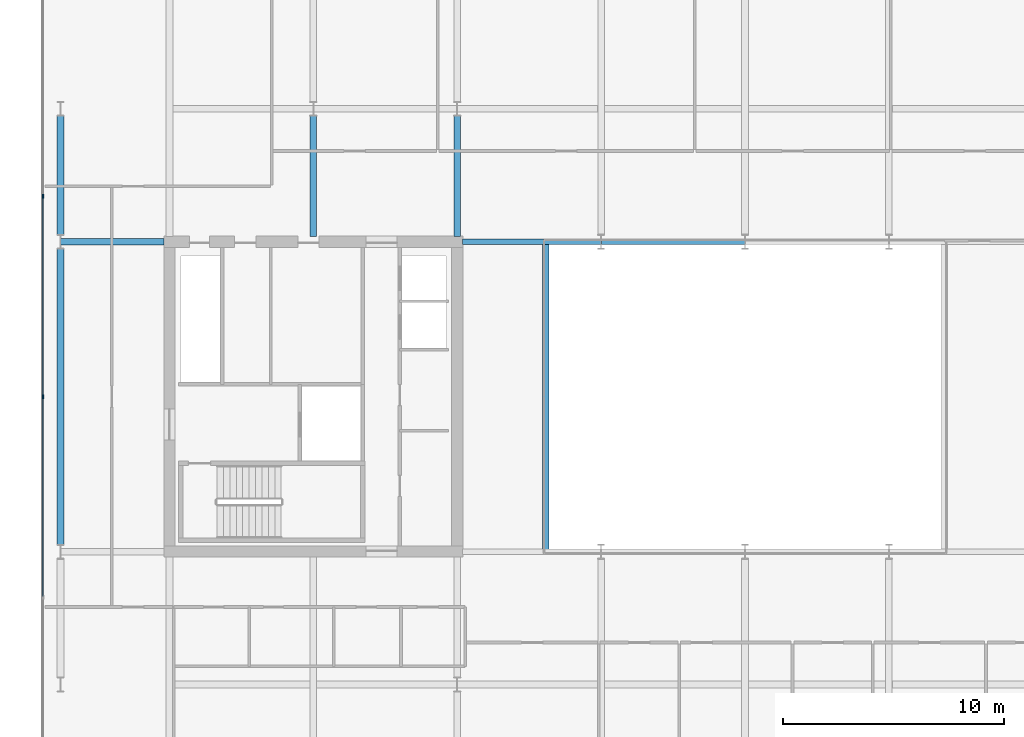
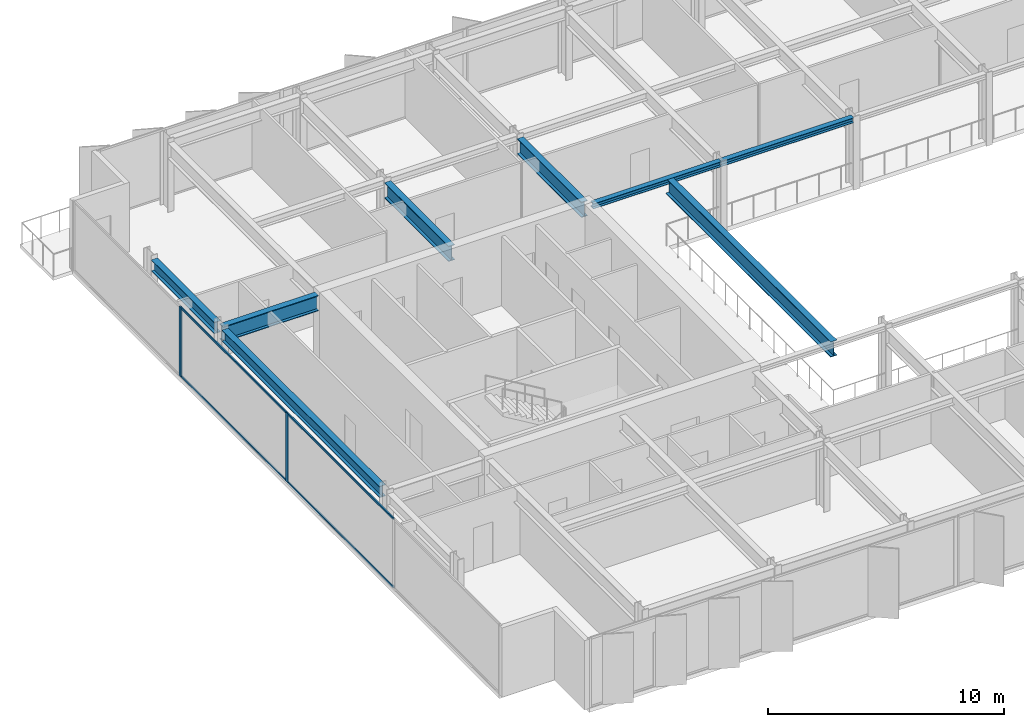
# One storey, part 5 of 20: 8 beams, 6 members, 1 element without a shape of its own.
"""IFC4 building model written with IfcOpenShell, lengths in metres."""

from ifc_helpers import new_model, si_unit, direction, frame, origin, origin_2d, place, context, subcontext, project, spatial, rectangle, i_section, extrude, material, layer, layer_set, material_profile, profile_set, type_object, element, aggregate, save


model = new_model("IFC4")

# Units and contexts
model_context = context("Model", 3, precision=1e-05, world=origin(), true_north=direction((0.0, 1.0)))
body_context = subcontext(model_context, "Body", "Model", "MODEL_VIEW")
ifc_project = project(units=[si_unit("LENGTHUNIT", "METRE"), si_unit("AREAUNIT", "SQUARE_METRE"), si_unit("VOLUMEUNIT", "CUBIC_METRE"), si_unit("PLANEANGLEUNIT", "RADIAN"), si_unit("MASSUNIT", "GRAM", prefix="KILO")], contexts=[model_context])

# Site, building, storey
site_placement = place(None, origin())
site = spatial("IfcSite", under=ifc_project, at=site_placement, CompositionType="ELEMENT")
building_placement = place(site_placement, origin())
building = spatial("IfcBuilding", under=site, at=building_placement, Name="Putna Gate Headquarters", CompositionType="ELEMENT")
storey_placement = place(building_placement, frame((0.0, 0.0, 274.60009765625)))
storey = spatial("IfcBuildingStorey", under=building, at=storey_placement, Name="L69", CompositionType="ELEMENT", Elevation=274.60009765625)

# Beams
ifc_material_1 = material(Name="Steel S355J2", Category="steel")
ifc_material_profile_1 = material_profile(ifc_material_1, i_section(OverallWidth=0.260009765625, OverallDepth=0.260009765625, WebThickness=0.010009765625, FlangeThickness=0.017578125, at=origin_2d()), Name="Steel S355J2")
ifc_profile_set_1 = profile_set([ifc_material_profile_1], Name="Steel S355J2")
beam_type_1 = type_object("IfcBeamType", Name="BM-ATRIUM-HEB260", PredefinedType="BEAM", material=ifc_profile_set_1)
beam_1_placement = place(storey_placement, frame((26.235107421875, 33.0, 3.4580078125), z_axis=(1.0, 0.0, 0.0), x_axis=(0.0, 1.0, 0.0)))
element("IfcBeam", 1, at=beam_1_placement, inside=storey, type_object=beam_type_1, Name="L69 Atrium Edge Beam AN1", PredefinedType="BEAM", context=body_context, shape_type="SweptSolid", body=[
    extrude(i_section(OverallWidth=0.260009765625, OverallDepth=0.260009765625, WebThickness=0.010009765625, FlangeThickness=0.017578125, at=origin_2d()), origin(), (0.0, 0.0, 1.0), 6.2587890625),
])
beam_2_placement = place(storey_placement, frame((32.506103515625, 33.0, 3.4580078125), z_axis=(1.0, 0.0, 0.0), x_axis=(0.0, 1.0, 0.0)))
element("IfcBeam", 2, at=beam_2_placement, inside=storey, type_object=beam_type_1, Name="L69 Atrium Edge Beam AN2", PredefinedType="BEAM", context=body_context, shape_type="SweptSolid", body=[
    extrude(i_section(OverallWidth=0.260009765625, OverallDepth=0.260009765625, WebThickness=0.010009765625, FlangeThickness=0.017578125, at=origin_2d()), origin(), (0.0, 0.0, 1.0), 6.48779296875),
])
ifc_material_profile_2 = material_profile(ifc_material_1, i_section(OverallWidth=0.300048828125, OverallDepth=0.800048828125, WebThickness=0.017578125, FlangeThickness=0.032958984375, at=origin_2d()), Name="Steel S355J2")
ifc_profile_set_2 = profile_set([ifc_material_profile_2], Name="Steel S355J2")
beam_type_2 = type_object("IfcBeamType", Name="BM-GIRD-P-HEB800", PredefinedType="USERDEFINED", material=ifc_profile_set_2)
beam_3_placement = place(storey_placement, frame((8.0859375, 33.0, 3.18798828125), z_axis=(1.0, 0.0, 0.0), x_axis=(0.0, 1.0, 0.0)))
element("IfcBeam", 3, at=beam_3_placement, inside=storey, type_object=beam_type_2, Name="L69 West Wing Girder Y33", ObjectType="GIRDER", PredefinedType="USERDEFINED", context=body_context, shape_type="SweptSolid", body=[
    extrude(i_section(OverallWidth=0.300048828125, OverallDepth=0.800048828125, WebThickness=0.017578125, FlangeThickness=0.032958984375, at=origin_2d()), origin(), (0.0, 0.0, 1.0), 4.678955078125),
])
for number, where, z_axis, x_axis, name in (
    (4, (19.5, 33.235107421875, 3.18798828125), (0.0, 1.0, 0.0), (-1.0, 0.0, 0.0), "L69 North Primary Girder X19-1"),
    (5, (26.0, 33.235107421875, 3.18798828125), (0.0, 1.0, 0.0), (-1.0, 0.0, 0.0), "L69 North Primary Girder X26-1"),
):
    element("IfcBeam", number, at=place(storey_placement, frame(where, z_axis=z_axis, x_axis=x_axis)), inside=storey, type_object=beam_type_2, Name=name, ObjectType="GIRDER", PredefinedType="USERDEFINED", context=body_context, shape_type="SweptSolid", body=[
        extrude(i_section(OverallWidth=0.300048828125, OverallDepth=0.800048828125, WebThickness=0.017578125, FlangeThickness=0.032958984375, at=origin_2d()), origin(), (0.0, 0.0, 1.0), 5.44287109375),
    ])
beam_4_placement = place(storey_placement, frame((30.0, 19.010009765625, 3.18798828125), z_axis=(0.0, 1.0, 0.0), x_axis=(-1.0, 0.0, 0.0)))
element("IfcBeam", 6, at=beam_4_placement, inside=storey, type_object=beam_type_2, Name="L69 Atrium Trim Girder AW", ObjectType="GIRDER", PredefinedType="USERDEFINED", context=body_context, shape_type="SweptSolid", body=[
    extrude(i_section(OverallWidth=0.300048828125, OverallDepth=0.800048828125, WebThickness=0.017578125, FlangeThickness=0.032958984375, at=origin_2d()), origin(), (0.0, 0.0, 1.0), 13.97998046875),
])
ifc_material_profile_3 = material_profile(ifc_material_1, i_section(OverallWidth=0.300048828125, OverallDepth=0.590087890625, WebThickness=0.012939453125, FlangeThickness=0.02490234375, at=origin_2d()), Name="Steel S355J2")
ifc_profile_set_3 = profile_set([ifc_material_profile_3], Name="Steel S355J2")
beam_type_3 = type_object("IfcBeamType", Name="BM-SPAN-Z4-HEA600", PredefinedType="SPANDREL", material=ifc_profile_set_3)
beam_5_placement = place(storey_placement, frame((8.080078125, 19.322021484375, 3.29296875), z_axis=(0.0, 1.0, 0.0), x_axis=(-1.0, 0.0, 0.0)))
element("IfcBeam", 7, at=beam_5_placement, inside=storey, type_object=beam_type_3, Name="L69 W End Spandrel 2", PredefinedType="SPANDREL", context=body_context, shape_type="SweptSolid", body=[
    extrude(i_section(OverallWidth=0.300048828125, OverallDepth=0.590087890625, WebThickness=0.012939453125, FlangeThickness=0.02490234375, at=origin_2d()), origin(), (0.0, 0.0, 1.0), 13.35595703125),
])
beam_6_placement = place(storey_placement, frame((8.080078125, 33.322021484375, 3.29296875), z_axis=(0.0, 1.0, 0.0), x_axis=(-1.0, 0.0, 0.0)))
element("IfcBeam", 8, at=beam_6_placement, inside=storey, type_object=beam_type_3, Name="L69 W End Spandrel 3", PredefinedType="SPANDREL", context=body_context, shape_type="SweptSolid", body=[
    extrude(i_section(OverallWidth=0.300048828125, OverallDepth=0.590087890625, WebThickness=0.012939453125, FlangeThickness=0.02490234375, at=origin_2d()), origin(), (0.0, 0.0, 1.0), 5.35595703125),
])

# Curtain wall, members
ifc_material_2 = material(Name="Anodised bronze aluminium curtain wall", Category="aluminium")
ifc_layer = layer(ifc_material_2, 0.179931640625)
ifc_layer_set = layer_set([ifc_layer], Name="Anodised bronze aluminium curtain wall")
curtain_wall_type = type_object("IfcCurtainWallType", Name="CW-SYS-Z5", PredefinedType="USERDEFINED", material=ifc_layer_set)
curtain_wall_placement = place(storey_placement, origin())
curtain_wall = element("IfcCurtainWall", 9, at=curtain_wall_placement, inside=storey, type_object=curtain_wall_type, Name="L69 West Curtain Wall", ObjectType="STICK CURTAIN WALL", PredefinedType="USERDEFINED")
ifc_material_3 = material(Name="Anodised bronze aluminium EN AW-6060", Category="aluminium")
ifc_material_profile_4 = material_profile(ifc_material_3, rectangle(XDim=0.070068359375, YDim=0.179931640625, at=origin_2d()), Name="Anodised bronze aluminium EN AW-6060")
ifc_profile_set_4 = profile_set([ifc_material_profile_4], Name="Anodised bronze aluminium EN AW-6060")
member_type_1 = type_object("IfcMemberType", Name="MULL-CWM-5", PredefinedType="MULLION", material=ifc_profile_set_4)
member_1_placement = place(storey_placement, frame((7.280029296875, 26.0, 0.0), z_axis=(0.0, 0.0, 1.0), x_axis=(-1.0, 0.0, 0.0)))
member_1 = element("IfcMember", 10, at=member_1_placement, type_object=member_type_1, Name="CWS-5 mullion 3", PredefinedType="MULLION", context=body_context, shape_type="SweptSolid", body=[
    extrude(rectangle(XDim=0.070068359375, YDim=0.179931640625, at=origin_2d()), origin(), (0.0, 0.0, 1.0), 3.587890625),
])
member_2_placement = place(storey_placement, frame((7.280029296875, 35.050048828125, 0.0), z_axis=(0.0, 0.0, 1.0), x_axis=(-1.0, 0.0, 0.0)))
member_2 = element("IfcMember", 11, at=member_2_placement, type_object=member_type_1, Name="CWS-5 mullion 4", PredefinedType="MULLION", context=body_context, shape_type="SweptSolid", body=[
    extrude(rectangle(XDim=0.070068359375, YDim=0.179931640625, at=origin_2d()), origin(), (0.0, 0.0, 1.0), 3.587890625),
])
ifc_material_profile_5 = material_profile(ifc_material_3, rectangle(XDim=0.06005859375, YDim=0.10009765625, at=origin_2d()), Name="Anodised bronze aluminium EN AW-6060")
ifc_profile_set_5 = profile_set([ifc_material_profile_5], Name="Anodised bronze aluminium EN AW-6060")
member_type_2 = type_object("IfcMemberType", Name="TRAN-CWT-5", PredefinedType="USERDEFINED", material=ifc_profile_set_5)
member_3_placement = place(storey_placement, frame((7.280029296875, 16.985107421875, 0.02978515625), z_axis=(0.0, 1.0, 0.0), x_axis=(-1.0, 0.0, 0.0)))
member_3 = element("IfcMember", 12, at=member_3_placement, type_object=member_type_2, Name="CWS-5 transom 2.1", ObjectType="TRANSOM", PredefinedType="USERDEFINED", context=body_context, shape_type="SweptSolid", body=[
    extrude(rectangle(XDim=0.06005859375, YDim=0.10009765625, at=origin_2d()), origin(), (0.0, 0.0, 1.0), 8.97998046875),
])
member_4_placement = place(storey_placement, frame((7.280029296875, 16.985107421875, 3.557861328125), z_axis=(0.0, 1.0, 0.0), x_axis=(-1.0, 0.0, 0.0)))
member_4 = element("IfcMember", 13, at=member_4_placement, type_object=member_type_2, Name="CWS-5 transom 2.2", ObjectType="TRANSOM", PredefinedType="USERDEFINED", context=body_context, shape_type="SweptSolid", body=[
    extrude(rectangle(XDim=0.06005859375, YDim=0.10009765625, at=origin_2d()), origin(), (0.0, 0.0, 1.0), 8.97998046875),
])
member_5_placement = place(storey_placement, frame((7.280029296875, 26.034912109375, 0.02978515625), z_axis=(0.0, 1.0, 0.0), x_axis=(-1.0, 0.0, 0.0)))
member_5 = element("IfcMember", 14, at=member_5_placement, type_object=member_type_2, Name="CWS-5 transom 3.1", ObjectType="TRANSOM", PredefinedType="USERDEFINED", context=body_context, shape_type="SweptSolid", body=[
    extrude(rectangle(XDim=0.06005859375, YDim=0.10009765625, at=origin_2d()), origin(), (0.0, 0.0, 1.0), 8.97998046875),
])
member_6_placement = place(storey_placement, frame((7.280029296875, 26.034912109375, 3.557861328125), z_axis=(0.0, 1.0, 0.0), x_axis=(-1.0, 0.0, 0.0)))
member_6 = element("IfcMember", 15, at=member_6_placement, type_object=member_type_2, Name="CWS-5 transom 3.2", ObjectType="TRANSOM", PredefinedType="USERDEFINED", context=body_context, shape_type="SweptSolid", body=[
    extrude(rectangle(XDim=0.06005859375, YDim=0.10009765625, at=origin_2d()), origin(), (0.0, 0.0, 1.0), 8.97998046875),
])
aggregate(curtain_wall, [member_1, member_2, member_3, member_4, member_5, member_6])

save(model, "model.ifc")
